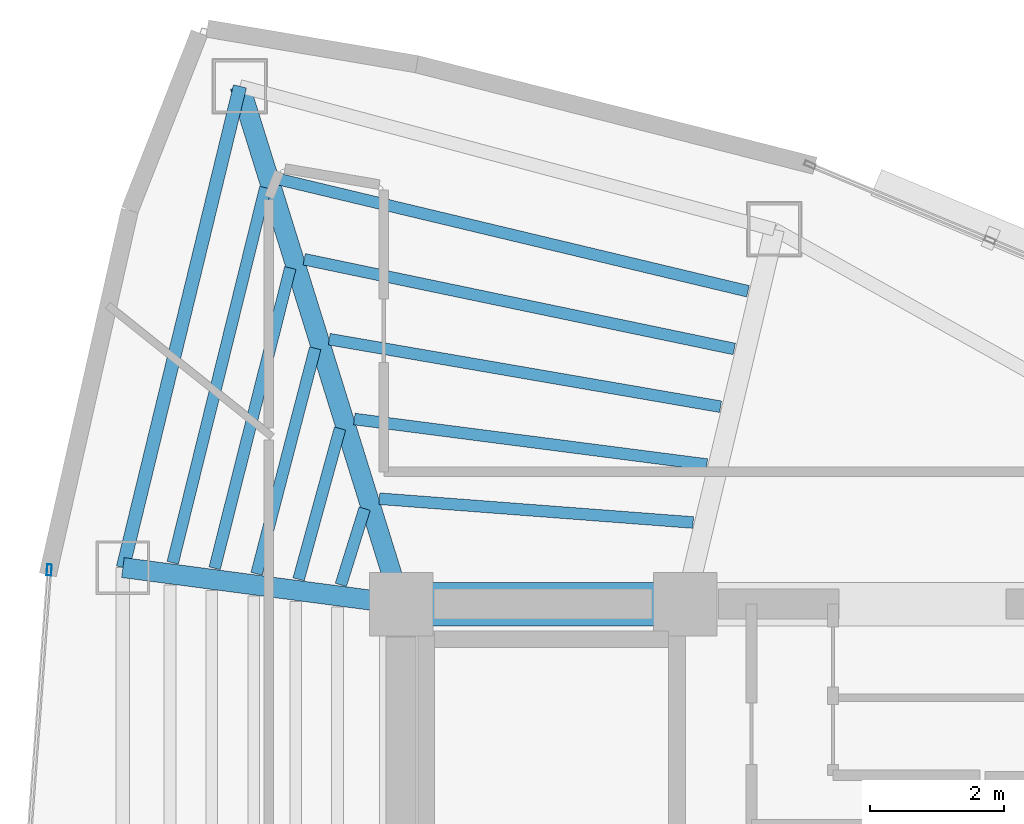
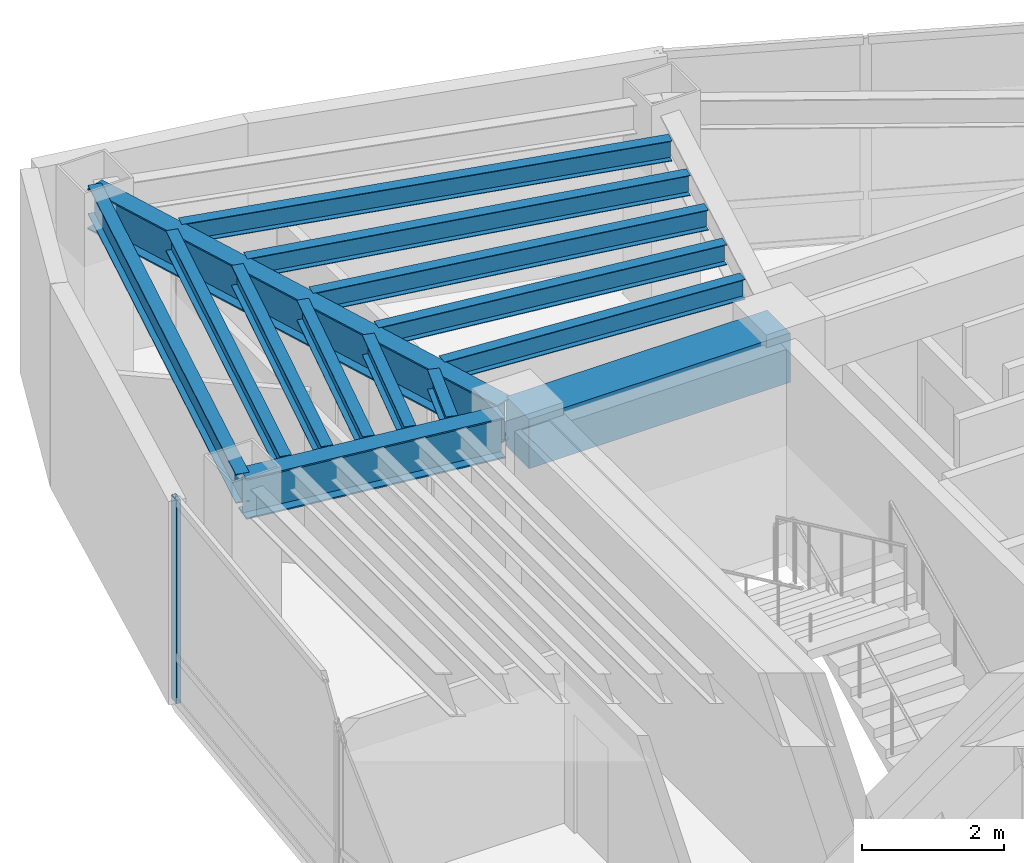
# One storey, part 7 of 15: 14 beams, 1 member, 1 element without a shape of its own.
"""IFC4 building model written with IfcOpenShell, lengths in metres."""

import ifcopenshell
import ifcopenshell.guid

model = None  # the IFC model being written
_history = None  # IfcOwnerHistory: only IFC2X3 demands one
_inside = {}  # id of a spatial element -> (the spatial element, [elements in it])
_under = {}  # id of a project, library or spatial element -> (it, [spatial elements below it])
_declared = {}  # id of a project -> (the project, [libraries it declares])
_typed = {}  # id of a type object -> (the type object, [elements of that type])
_made_of = {}  # id of a material, layer set ... -> (it, [elements and type objects made of it])


def new_model(schema):
    """Start an empty IFC model of exactly this schema.

    Asked for "IFC4X3", IfcOpenShell would pick the latest addendum, in which some entities
    have other attributes; the version numbers below select the first issue.
    IFC2X3 requires an IfcOwnerHistory on every rooted entity: one is made here for all.
    """
    global model, _history
    if schema == "IFC4X3":
        model = ifcopenshell.file(schema_version=(4, 3, 0, 0))
    else:
        model = ifcopenshell.file(schema=schema)
    _inside.clear()
    _under.clear()
    _declared.clear()
    _typed.clear()
    _made_of.clear()
    _history = None
    if model.schema == "IFC2X3":
        org = make("IfcOrganization", Name="unknown")
        user = make(
            "IfcPersonAndOrganization",
            ThePerson=make("IfcPerson", FamilyName="unknown"),
            TheOrganization=org,
        )
        app = make(
            "IfcApplication",
            ApplicationDeveloper=org,
            Version="unknown",
            ApplicationFullName="unknown",
            ApplicationIdentifier="unknown",
        )
        _history = make(
            "IfcOwnerHistory",
            OwningUser=user,
            OwningApplication=app,
            ChangeAction="ADDED",
            CreationDate=0,
        )
    return model


def make(cls, **values):
    """One entity of the class cls with the attributes given. An attribute that is None is left unset."""
    return model.create_entity(
        cls, **{name: value for name, value in values.items() if value is not None}
    )


def rooted(cls, **values):
    """An entity with a GlobalId (a new one), such as an element, a storey or a relation."""
    return make(cls, GlobalId=ifcopenshell.guid.new(), OwnerHistory=_history, **values)


def si_unit(unit_type, name, prefix=None):
    """IfcSIUnit, for example si_unit("LENGTHUNIT", "METRE", prefix="MILLI")."""
    return make("IfcSIUnit", UnitType=unit_type, Prefix=prefix, Name=name)


def assignment(units):
    """IfcUnitAssignment: the units of a project."""
    return None if units is None else make("IfcUnitAssignment", Units=units)


def point(xyz):
    """IfcCartesianPoint."""
    return None if xyz is None else make("IfcCartesianPoint", Coordinates=xyz)


def direction(xyz):
    """IfcDirection."""
    return None if xyz is None else make("IfcDirection", DirectionRatios=xyz)


def frame(location, z_axis=None, x_axis=None):
    """IfcAxis2Placement3D, a coordinate frame: its origin and axes. An axis left out is left unset."""
    return make(
        "IfcAxis2Placement3D",
        Location=point(location),
        Axis=direction(z_axis),
        RefDirection=direction(x_axis),
    )


def frame_2d(location, x_axis=None):
    """IfcAxis2Placement2D, a coordinate frame in the plane: its origin and x axis."""
    return make(
        "IfcAxis2Placement2D", Location=point(location), RefDirection=direction(x_axis)
    )


def origin():
    """The frame at (0, 0, 0) with its axes left unset."""
    return frame((0.0, 0.0, 0.0))


def origin_2d():
    """The frame at (0, 0) in the plane with its x axis left unset."""
    return frame_2d((0.0, 0.0))


def place(relative_to, where):
    """IfcLocalPlacement: puts the frame where relative to a parent placement (None: the world)."""
    return make(
        "IfcLocalPlacement", PlacementRelTo=relative_to, RelativePlacement=where
    )


def context(
    kind, dimensions, precision=None, world=None, true_north=None, identifier=None
):
    """IfcGeometricRepresentationContext, for example the 3D "Model" context."""
    return make(
        "IfcGeometricRepresentationContext",
        ContextIdentifier=identifier,
        ContextType=kind,
        CoordinateSpaceDimension=dimensions,
        Precision=precision,
        WorldCoordinateSystem=world,
        TrueNorth=true_north,
    )


def subcontext(parent, identifier, kind, view, scale=None):
    """IfcGeometricRepresentationSubContext, for example "Body" below "Model"."""
    return make(
        "IfcGeometricRepresentationSubContext",
        ContextIdentifier=identifier,
        ContextType=kind,
        ParentContext=parent,
        TargetScale=scale,
        TargetView=view,
    )


def project(units=None, contexts=None):
    """IfcProject with its units and contexts."""
    return rooted(
        "IfcProject",
        Name="project",
        RepresentationContexts=contexts,
        UnitsInContext=assignment(units),
    )


def spatial(cls, under=None, at=None, **own):
    """A site, building, storey or space (cls), placed at a placement, below another one or the project."""
    s = rooted(cls, ObjectPlacement=at, **own)
    if under is not None:
        _under.setdefault(under.id(), (under, []))[1].append(s)
    return s


def profile(cls, at=None, kind="AREA", **sizes):
    """A parametric profile (cls). Its sizes go by their IFC names, for example OverallWidth=200.0."""
    return make(cls, ProfileType=kind, Position=at, **sizes)


def rectangle(**sizes):
    """IfcRectangleProfileDef."""
    return profile("IfcRectangleProfileDef", **sizes)


def hollow_rectangle(**sizes):
    """IfcRectangleHollowProfileDef."""
    return profile("IfcRectangleHollowProfileDef", **sizes)


def i_section(**sizes):
    """IfcIShapeProfileDef."""
    return profile("IfcIShapeProfileDef", **sizes)


def extrude(swept, where, along, depth):
    """IfcExtrudedAreaSolid: the profile swept, set in the frame where, extruded along a direction by depth."""
    return make(
        "IfcExtrudedAreaSolid",
        SweptArea=swept,
        Position=where,
        ExtrudedDirection=direction(along),
        Depth=depth,
    )


def shape(context_of_items, identifier, shape_type, items):
    """IfcShapeRepresentation: the items that make up one representation, for example the "Body"."""
    return make(
        "IfcShapeRepresentation",
        ContextOfItems=context_of_items,
        RepresentationIdentifier=identifier,
        RepresentationType=shape_type,
        Items=items,
    )


def material(Name=None, Category=None):
    """IfcMaterial."""
    return make("IfcMaterial", Name=Name, Category=Category)


def layer(
    of_material, thickness, ventilated=None, Name=None, Category=None, Priority=None
):
    """IfcMaterialLayer: one layer of a wall or slab, of a material (None: an air gap)."""
    return make(
        "IfcMaterialLayer",
        Material=of_material,
        LayerThickness=thickness,
        IsVentilated=ventilated,
        Name=Name,
        Category=Category,
        Priority=Priority,
    )


def layer_set(layers, Name=None):
    """IfcMaterialLayerSet."""
    return make("IfcMaterialLayerSet", MaterialLayers=layers, LayerSetName=Name)


def material_profile(
    of_material, cross_section, Name=None, Category=None, Priority=None
):
    """IfcMaterialProfile: a cross section and its material."""
    return make(
        "IfcMaterialProfile",
        Name=Name,
        Material=of_material,
        Profile=cross_section,
        Priority=Priority,
        Category=Category,
    )


def profile_set(profiles, Name=None, composite=None):
    """IfcMaterialProfileSet."""
    return make(
        "IfcMaterialProfileSet",
        Name=Name,
        MaterialProfiles=profiles,
        CompositeProfile=composite,
    )


def made_of(thing, what):
    """Note that an element or type object is made of a material, layer set ...; save() writes the relation."""
    if what is not None:
        _made_of.setdefault(what.id(), (what, []))[1].append(thing)
    return thing


def type_object(cls, material=None, **own):
    """A type object (cls), such as IfcWallType, which elements share."""
    return made_of(rooted(cls, **own), material)


def element(
    cls,
    number,
    at=None,
    inside=None,
    cuts=None,
    type_object=None,
    material=None,
    context=None,
    identifier="Body",
    shape_type=None,
    held_by="IfcProductDefinitionShape",
    body=None,
    shapes=None,
    **own,
):
    """One element of the class cls, such as IfcWall. Its Tag is "e" and its number.

    at: its placement. inside: the storey or other place that contains it. cuts: it is an
    opening in that element (IfcRelVoidsElement). A single representation is given by context,
    identifier, shape_type and body (its items); several are given by shapes. held_by: the class
    of the entity that holds the representations. save() writes the other relations.
    """
    e = rooted(cls, Tag="e%d" % number, ObjectPlacement=at, **own)
    if body is not None:
        shapes = [shape(context, identifier, shape_type, body)]
    if shapes is not None:
        e.Representation = make(held_by, Representations=shapes)
    if inside is not None:
        _inside.setdefault(inside.id(), (inside, []))[1].append(e)
    if cuts is not None:
        rooted(
            "IfcRelVoidsElement", RelatingBuildingElement=cuts, RelatedOpeningElement=e
        )
    if type_object is not None:
        _typed.setdefault(type_object.id(), (type_object, []))[1].append(e)
    return made_of(e, material)


def aggregate(whole, parts):
    """IfcRelAggregates: a whole, such as a stair, and the parts it consists of."""
    return rooted("IfcRelAggregates", RelatingObject=whole, RelatedObjects=parts)


def save(model, path):
    """Write the relations noted so far, then the file.

    IfcRelAggregates (storeys below a building ...), IfcRelContainedInSpatialStructure (elements
    in a storey), IfcRelDefinesByType, IfcRelAssociatesMaterial and IfcRelDeclares: one each for
    every whole, place, type object, material and project.
    """
    for whole, parts in _under.values():
        aggregate(whole, parts)
    for where, things in _inside.values():
        rooted(
            "IfcRelContainedInSpatialStructure",
            RelatedElements=things,
            RelatingStructure=where,
        )
    for kind, things in _typed.values():
        rooted("IfcRelDefinesByType", RelatedObjects=things, RelatingType=kind)
    for what, things in _made_of.values():
        rooted("IfcRelAssociatesMaterial", RelatedObjects=things, RelatingMaterial=what)
    for by, libraries in _declared.values():
        rooted("IfcRelDeclares", RelatingContext=by, RelatedDefinitions=libraries)
    model.write(path)


model = new_model("IFC4")

# Units and contexts
model_context = context("Model", 3, precision=1e-05, world=origin(), true_north=direction((0.0, 1.0)))
body_context = subcontext(model_context, "Body", "Model", "MODEL_VIEW")
ifc_project = project(units=[si_unit("LENGTHUNIT", "METRE"), si_unit("AREAUNIT", "SQUARE_METRE"), si_unit("VOLUMEUNIT", "CUBIC_METRE"), si_unit("PLANEANGLEUNIT", "RADIAN"), si_unit("MASSUNIT", "GRAM", prefix="KILO")], contexts=[model_context])

# Site, building, storey
site_placement = place(None, origin())
site = spatial("IfcSite", under=ifc_project, at=site_placement, CompositionType="ELEMENT")
building_placement = place(site_placement, origin())
building = spatial("IfcBuilding", under=site, at=building_placement, Name="Menara Vayukalpa", CompositionType="ELEMENT")
storey_placement = place(building_placement, frame((0.0, 0.0, 258.300048828125)))
storey = spatial("IfcBuildingStorey", under=building, at=storey_placement, Name="L65", CompositionType="ELEMENT", Elevation=258.300048828125)

# Beams
ifc_material_1 = material(Name="Concrete C60/75", Category="concrete")
ifc_material_profile_1 = material_profile(ifc_material_1, rectangle(XDim=0.64990234375, YDim=0.85009765625, at=origin_2d()), Name="RC 650x850")
ifc_profile_set_1 = profile_set([ifc_material_profile_1], Name="Concrete C60/75")
beam_type_1 = type_object("IfcBeamType", Name="BM-CB1", PredefinedType="BEAM", material=ifc_profile_set_1)
beam_1_placement = place(storey_placement, frame((17.800048828125, 26.800048828125, 3.074951171875), z_axis=(1.0, 0.0, 0.0), x_axis=(0.0, 1.0, 0.0)))
element("IfcBeam", 1, at=beam_1_placement, inside=storey, type_object=beam_type_1, Name="L65 Core Tie Beam CBR4", PredefinedType="BEAM", context=body_context, shape_type="SweptSolid", body=[
    extrude(rectangle(XDim=0.64990234375, YDim=0.85009765625, at=origin_2d()), origin(), (0.0, 0.0, 1.0), 4.25),
])
ifc_material_2 = material(Name="Steel S355", Category="steel")
ifc_material_profile_2 = material_profile(ifc_material_2, i_section(OverallWidth=0.300048828125, OverallDepth=0.699951171875, WebThickness=0.012939453125, FlangeThickness=0.02392578125, at=origin_2d()), Name="WF 700x300x13x24")
ifc_profile_set_2 = profile_set([ifc_material_profile_2], Name="Steel S355")
beam_type_2 = type_object("IfcBeamType", Name="BM-PG5", PredefinedType="BEAM", material=ifc_profile_set_2)
beam_2_placement = place(storey_placement, frame((17.7255859375, 27.038818359375, 3.14990234375), z_axis=(-0.297213792842, 0.954810955815, 0.0), x_axis=(-0.954810955815, -0.297213792842, 0.0)))
element("IfcBeam", 2, at=beam_2_placement, inside=storey, type_object=beam_type_2, Name="L65 Primary Radial Girder RG04", PredefinedType="BEAM", context=body_context, shape_type="SweptSolid", body=[
    extrude(i_section(OverallWidth=0.300048828125, OverallDepth=0.699951171875, WebThickness=0.012939453125, FlangeThickness=0.02392578125, at=origin_2d()), origin(), (0.0, 0.0, 1.0), 7.861083984375),
])
beam_3_placement = place(storey_placement, frame((17.552001953125, 26.83251953125, 3.14990234375), z_axis=(-0.991477860763, 0.130275291662, 0.0), x_axis=(-0.130275291662, -0.991477860763, 0.0)))
element("IfcBeam", 3, at=beam_3_placement, inside=storey, type_object=beam_type_2, Name="L65 Primary Radial Girder RG05", PredefinedType="BEAM", context=body_context, shape_type="SweptSolid", body=[
    extrude(i_section(OverallWidth=0.300048828125, OverallDepth=0.699951171875, WebThickness=0.012939453125, FlangeThickness=0.02392578125, at=origin_2d()), origin(), (0.0, 0.0, 1.0), 3.94677734375),
])
ifc_material_3 = material(Name="Steel S355", Category="steel")
ifc_material_profile_3 = material_profile(ifc_material_3, i_section(OverallWidth=0.175048828125, OverallDepth=0.35009765625, WebThickness=0.007080078125, FlangeThickness=0.010986328125, at=origin_2d()), Name="WF 350x175x7x11")
ifc_profile_set_3 = profile_set([ifc_material_profile_3], Name="Steel S355")
beam_type_3 = type_object("IfcBeamType", Name="BM-SJ3", PredefinedType="JOIST", material=ifc_profile_set_3)
beam_4_placement = place(storey_placement, frame((22.16748046875, 28.02099609375, 3.324951171875), z_axis=(-0.997135697669, 0.075633328852, 0.0), x_axis=(-0.075633328852, -0.997135697669, 0.0)))
element("IfcBeam", 4, at=beam_4_placement, inside=storey, type_object=beam_type_3, Name="L65 Secondary Floor Joist SJ03-1", PredefinedType="JOIST", context=body_context, shape_type="SweptSolid", body=[
    extrude(i_section(OverallWidth=0.175048828125, OverallDepth=0.35009765625, WebThickness=0.007080078125, FlangeThickness=0.010986328125, at=origin_2d()), origin(), (0.0, 0.0, 1.0), 4.706298828125),
])
beam_5_placement = place(storey_placement, frame((22.372314453125, 28.887939453125, 3.324951171875), z_axis=(-0.991763759233, 0.128080622546, 0.0), x_axis=(-0.128080622546, -0.991763759233, 0.0)))
element("IfcBeam", 5, at=beam_5_placement, inside=storey, type_object=beam_type_3, Name="L65 Secondary Floor Joist SJ03-2", PredefinedType="JOIST", context=body_context, shape_type="SweptSolid", body=[
    extrude(i_section(OverallWidth=0.175048828125, OverallDepth=0.35009765625, WebThickness=0.007080078125, FlangeThickness=0.010986328125, at=origin_2d()), origin(), (0.0, 0.0, 1.0), 5.316162109375),
])
beam_6_placement = place(storey_placement, frame((22.577392578125, 29.7529296875, 3.324951171875), z_axis=(-0.985440172071, 0.170022549294, 0.0), x_axis=(-0.170022549294, -0.985440172071, 0.0)))
element("IfcBeam", 6, at=beam_6_placement, inside=storey, type_object=beam_type_3, Name="L65 Secondary Floor Joist SJ03-3", PredefinedType="JOIST", context=body_context, shape_type="SweptSolid", body=[
    extrude(i_section(OverallWidth=0.175048828125, OverallDepth=0.35009765625, WebThickness=0.007080078125, FlangeThickness=0.010986328125, at=origin_2d()), origin(), (0.0, 0.0, 1.0), 5.93896484375),
])
beam_7_placement = place(storey_placement, frame((22.7822265625, 30.61669921875, 3.324951171875), z_axis=(-0.978941451827, 0.204141210671, 0.0), x_axis=(-0.204141210671, -0.978941451827, 0.0)))
element("IfcBeam", 7, at=beam_7_placement, inside=storey, type_object=beam_type_3, Name="L65 Secondary Floor Joist SJ03-4", PredefinedType="JOIST", context=body_context, shape_type="SweptSolid", body=[
    extrude(i_section(OverallWidth=0.175048828125, OverallDepth=0.35009765625, WebThickness=0.007080078125, FlangeThickness=0.010986328125, at=origin_2d()), origin(), (0.0, 0.0, 1.0), 6.570556640625),
])
beam_8_placement = place(storey_placement, frame((22.9873046875, 31.479248046875, 3.324951171875), z_axis=(-0.972642465748, 0.232307197097, 0.0), x_axis=(-0.232307197097, -0.972642465748, 0.0)))
element("IfcBeam", 8, at=beam_8_placement, inside=storey, type_object=beam_type_3, Name="L65 Secondary Floor Joist SJ03-5", PredefinedType="JOIST", context=body_context, shape_type="SweptSolid", body=[
    extrude(i_section(OverallWidth=0.175048828125, OverallDepth=0.35009765625, WebThickness=0.007080078125, FlangeThickness=0.010986328125, at=origin_2d()), origin(), (0.0, 0.0, 1.0), 7.20947265625),
])
beam_9_placement = place(storey_placement, frame((17.25439453125, 28.2275390625, 3.324951171875), z_axis=(-0.298018933644, -0.954559958929, 0.0), x_axis=(0.954559958929, -0.298018933644, 0.0)))
element("IfcBeam", 9, at=beam_9_placement, inside=storey, type_object=beam_type_3, Name="L65 Secondary Floor Joist SJ04-1", PredefinedType="JOIST", context=body_context, shape_type="SweptSolid", body=[
    extrude(i_section(OverallWidth=0.175048828125, OverallDepth=0.35009765625, WebThickness=0.007080078125, FlangeThickness=0.010986328125, at=origin_2d()), origin(), (0.0, 0.0, 1.0), 1.1943359375),
])
beam_10_placement = place(storey_placement, frame((16.88623046875, 29.4267578125, 3.324951171875), z_axis=(-0.264918721837, -0.9642707456, 0.0), x_axis=(0.9642707456, -0.264918721837, 0.0)))
element("IfcBeam", 10, at=beam_10_placement, inside=storey, type_object=beam_type_3, Name="L65 Secondary Floor Joist SJ04-2", PredefinedType="JOIST", context=body_context, shape_type="SweptSolid", body=[
    extrude(i_section(OverallWidth=0.175048828125, OverallDepth=0.35009765625, WebThickness=0.007080078125, FlangeThickness=0.010986328125, at=origin_2d()), origin(), (0.0, 0.0, 1.0), 2.3388671875),
])
beam_11_placement = place(storey_placement, frame((16.5146484375, 30.627197265625, 3.324951171875), z_axis=(-0.251492114719, -0.96785934734, 0.0), x_axis=(0.96785934734, -0.251492114719, 0.0)))
element("IfcBeam", 11, at=beam_11_placement, inside=storey, type_object=beam_type_3, Name="L65 Secondary Floor Joist SJ04-3", PredefinedType="JOIST", context=body_context, shape_type="SweptSolid", body=[
    extrude(i_section(OverallWidth=0.175048828125, OverallDepth=0.35009765625, WebThickness=0.007080078125, FlangeThickness=0.010986328125, at=origin_2d()), origin(), (0.0, 0.0, 1.0), 3.485107421875),
])
beam_12_placement = place(storey_placement, frame((16.14208984375, 31.82763671875, 3.324951171875), z_axis=(-0.244247063973, -0.969713035769, 0.0), x_axis=(0.969713035769, -0.244247063973, 0.0)))
element("IfcBeam", 12, at=beam_12_placement, inside=storey, type_object=beam_type_3, Name="L65 Secondary Floor Joist SJ04-4", PredefinedType="JOIST", context=body_context, shape_type="SweptSolid", body=[
    extrude(i_section(OverallWidth=0.175048828125, OverallDepth=0.35009765625, WebThickness=0.007080078125, FlangeThickness=0.010986328125, at=origin_2d()), origin(), (0.0, 0.0, 1.0), 4.630859375),
])
beam_13_placement = place(storey_placement, frame((15.768798828125, 33.028564453125, 3.324951171875), z_axis=(-0.239671161383, -0.970854126222, 0.0), x_axis=(0.970854126222, -0.239671161383, 0.0)))
element("IfcBeam", 13, at=beam_13_placement, inside=storey, type_object=beam_type_3, Name="L65 Secondary Floor Joist SJ04-5", PredefinedType="JOIST", context=body_context, shape_type="SweptSolid", body=[
    extrude(i_section(OverallWidth=0.175048828125, OverallDepth=0.35009765625, WebThickness=0.007080078125, FlangeThickness=0.010986328125, at=origin_2d()), origin(), (0.0, 0.0, 1.0), 5.77783203125),
])
ifc_material_4 = material(Name="Steel S355", Category="steel")
ifc_material_profile_4 = material_profile(ifc_material_4, i_section(OverallWidth=0.199951171875, OverallDepth=0.5, WebThickness=0.010009765625, FlangeThickness=0.01611328125, at=origin_2d()), Name="WF 500x200x10x16")
ifc_profile_set_4 = profile_set([ifc_material_profile_4], Name="Steel S355")
beam_type_4 = type_object("IfcBeamType", Name="BM-SP3", PredefinedType="SPANDREL", material=ifc_profile_set_4)
beam_14_placement = place(storey_placement, frame((15.38916015625, 34.544677734375, 3.25), z_axis=(-0.236272525754, -0.97168682896, 0.0), x_axis=(0.97168682896, -0.236272525754, 0.0)))
element("IfcBeam", 14, at=beam_14_placement, inside=storey, type_object=beam_type_4, Name="L65 Perimeter Spandrel Beam SP04", PredefinedType="SPANDREL", context=body_context, shape_type="SweptSolid", body=[
    extrude(i_section(OverallWidth=0.199951171875, OverallDepth=0.5, WebThickness=0.010009765625, FlangeThickness=0.01611328125, at=origin_2d()), origin(), (0.0, 0.0, 1.0), 7.40771484375),
])

# Curtain wall, member
ifc_material_5 = material(Name="Anodised Terracotta Aluminium Alloy 6063-T6", Category="masonry")
ifc_layer = layer(ifc_material_5, 0.1650390625)
ifc_layer_set = layer_set([ifc_layer], Name="Anodised Terracotta Aluminium Alloy 6063-T6")
curtain_wall_type = type_object("IfcCurtainWallType", Name="CW-CW6", PredefinedType="USERDEFINED", material=ifc_layer_set)
curtain_wall_placement = place(storey_placement, origin())
curtain_wall = element("IfcCurtainWall", 15, at=curtain_wall_placement, inside=storey, type_object=curtain_wall_type, Name="L65 Observation and Executive Curtain Wall CW6 10", ObjectType="UNITISED", PredefinedType="USERDEFINED")
ifc_material_6 = material(Name="Anodised Terracotta Aluminium Alloy 6063-T6", Category="masonry")
ifc_material_profile_5 = material_profile(ifc_material_6, hollow_rectangle(XDim=0.070068359375, YDim=0.1650390625, WallThickness=0.00390625, at=origin_2d()), Name="ALU 70x165x4")
ifc_profile_set_5 = profile_set([ifc_material_profile_5], Name="Anodised Terracotta Aluminium Alloy 6063-T6")
member_type = type_object("IfcMemberType", Name="CWM-CW6", PredefinedType="MULLION", material=ifc_profile_set_5)
member_placement = place(storey_placement, frame((12.536376953125, 27.311767578125, 0.0), z_axis=(0.0, 0.0, 1.0), x_axis=(0.997199344663, -0.074789484574, 0.0)))
member = element("IfcMember", 16, at=member_placement, type_object=member_type, Name="CW6 mullion 1", PredefinedType="MULLION", context=body_context, shape_type="SweptSolid", body=[
    extrude(hollow_rectangle(XDim=0.070068359375, YDim=0.1650390625, WallThickness=0.00390625, at=origin_2d()), origin(), (0.0, 0.0, 1.0), 3.5),
])
aggregate(curtain_wall, [member])

save(model, "model.ifc")
